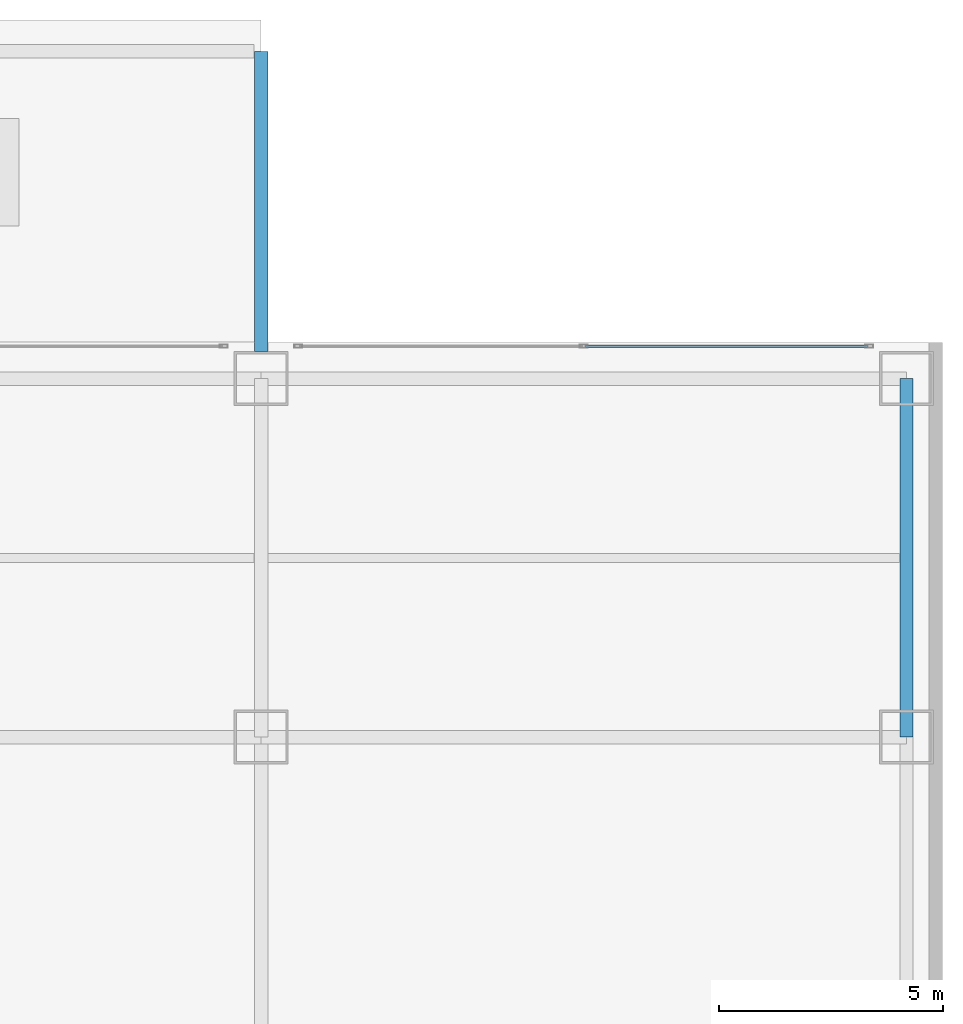
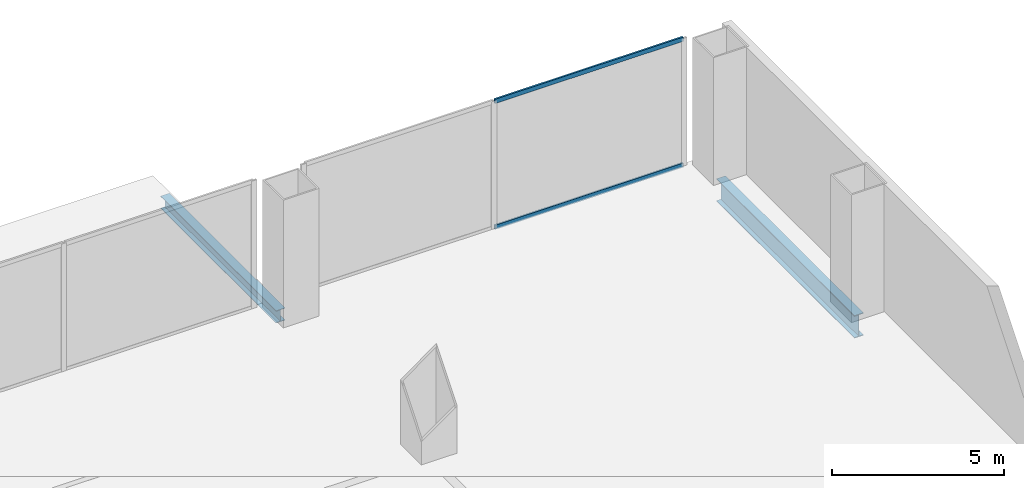
# One storey, part 29 of 42: 2 beams, 2 members, 1 element without a shape of its own.
"""IFC4 building model written with IfcOpenShell, lengths in metres."""

from ifc_helpers import new_model, si_unit, direction, frame, origin, origin_2d, place, context, subcontext, project, spatial, hollow_rectangle, i_section, extrude, source, transform, mapped, material, layer, layer_set, material_profile, profile_set, type_object, element, aggregate, save


model = new_model("IFC4")

# Units and contexts
model_context = context("Model", 3, precision=1e-05, world=origin(), true_north=direction((0.0, 1.0)))
body_context = subcontext(model_context, "Body", "Model", "MODEL_VIEW")
ifc_project = project(units=[si_unit("LENGTHUNIT", "METRE"), si_unit("AREAUNIT", "SQUARE_METRE"), si_unit("VOLUMEUNIT", "CUBIC_METRE"), si_unit("PLANEANGLEUNIT", "RADIAN"), si_unit("MASSUNIT", "GRAM", prefix="KILO"), si_unit("THERMODYNAMICTEMPERATUREUNIT", "KELVIN"), si_unit("POWERUNIT", "WATT")], contexts=[model_context])

# Site, building, storey
site_placement = place(None, origin())
site = spatial("IfcSite", under=ifc_project, at=site_placement, CompositionType="ELEMENT")
building_placement = place(site_placement, origin())
building = spatial("IfcBuilding", under=site, at=building_placement, Name="Yunzhuo Pagoda Commons", CompositionType="ELEMENT")
storey_placement = place(building_placement, frame((0.0, 0.0, 4.800048828125)))
storey = spatial("IfcBuildingStorey", under=building, at=storey_placement, Name="L02", CompositionType="ELEMENT", Elevation=4.800048828125)

# Beams
ifc_material_1 = material(Name="Structural steel Q355B", Category="steel")
ifc_material_profile_1 = material_profile(ifc_material_1, i_section(OverallWidth=0.300048828125, OverallDepth=0.800048828125, WebThickness=0.013916015625, FlangeThickness=0.02587890625, at=origin_2d()), Name="Structural steel Q355B")
ifc_profile_set_1 = profile_set([ifc_material_profile_1], Name="Structural steel Q355B")
beam_type_1 = type_object("IfcBeamType", Name="B-PD2 Beam HN 800x300x14x26", PredefinedType="BEAM", material=ifc_profile_set_1)
shared_shape_1 = source(origin(), body_context, "Body", "SweptSolid", [
    extrude(i_section(OverallWidth=0.300048828125, OverallDepth=0.800048828125, WebThickness=0.013916015625, FlangeThickness=0.02587890625, at=origin_2d()), origin(), (0.0, 0.0, 1.0), 8.0),
])
beam_1_placement = place(storey_placement, frame((91.199951171875, 81.199951171875, -0.679931640625), z_axis=(0.0, 1.0, 0.0), x_axis=(-1.0, 0.0, 0.0)))
element("IfcBeam", 1, at=beam_1_placement, inside=storey, type_object=beam_type_1, Name="L02 podium girder NS 6.5", PredefinedType="BEAM", context=body_context, shape_type="MappedRepresentation", body=[
    mapped(shared_shape_1, transform((0.0, 0.0, 0.0), scale=1.0)),
])
ifc_material_profile_2 = material_profile(ifc_material_1, i_section(OverallWidth=0.300048828125, OverallDepth=0.43994140625, WebThickness=0.010986328125, FlangeThickness=0.01806640625, at=origin_2d()), Name="Structural steel Q355B")
ifc_profile_set_2 = profile_set([ifc_material_profile_2], Name="Structural steel Q355B")
beam_type_2 = type_object("IfcBeamType", Name="B-SP2 Beam HM 440x300x11x18", PredefinedType="BEAM", material=ifc_profile_set_2)
shared_shape_2 = source(origin(), body_context, "Body", "SweptSolid", [
    extrude(i_section(OverallWidth=0.300048828125, OverallDepth=0.43994140625, WebThickness=0.010986328125, FlangeThickness=0.01806640625, at=origin_2d()), origin(), (0.0, 0.0, 1.0), 6.699951171875),
])
beam_2_placement = place(storey_placement, frame((76.800048828125, 89.800048828125, -0.5), z_axis=(0.0, 1.0, 0.0), x_axis=(-1.0, 0.0, 0.0)))
element("IfcBeam", 2, at=beam_2_placement, inside=storey, type_object=beam_type_2, Name="North canopy girder 5", PredefinedType="BEAM", context=body_context, shape_type="MappedRepresentation", body=[
    mapped(shared_shape_2, transform((0.0, 0.0, 0.0), scale=1.0)),
])

# Curtain wall, members
ifc_material_2 = material(Name="Anodized aluminium 6063-T6", Category="aluminium")
ifc_layer = layer(ifc_material_2, 0.179931640625)
ifc_layer_set = layer_set([ifc_layer], Name="Anodized aluminium 6063-T6")
curtain_wall_type = type_object("IfcCurtainWallType", Name="CW-POD Waterfront Podium Curtain Wall", PredefinedType="NOTDEFINED", material=ifc_layer_set)
curtain_wall_placement = place(storey_placement, origin())
curtain_wall = element("IfcCurtainWall", 3, at=curtain_wall_placement, inside=storey, type_object=curtain_wall_type, Name="L02 curtain wall CW-L02-N5", PredefinedType="NOTDEFINED")
ifc_material_profile_3 = material_profile(ifc_material_2, hollow_rectangle(XDim=0.06005859375, YDim=0.14990234375, WallThickness=0.00390625, at=origin_2d()), Name="Anodized aluminium 6063-T6")
ifc_profile_set_3 = profile_set([ifc_material_profile_3], Name="Anodized aluminium 6063-T6")
member_type = type_object("IfcMemberType", Name="CW-POD-T Transom RHS 150x60x4", PredefinedType="USERDEFINED", material=ifc_profile_set_3)
shared_shape_3 = source(origin(), body_context, "Body", "SweptSolid", [
    extrude(hollow_rectangle(XDim=0.06005859375, YDim=0.14990234375, WallThickness=0.00390625, at=origin_2d()), origin(), (0.0, 0.0, 1.0), 6.302490234375),
])
member_1_placement = place(storey_placement, frame((84.032470703125, 89.919921875, 0.030029296875), z_axis=(1.0, 0.0, 0.0), x_axis=(0.0, 1.0, 0.0)))
member_1 = element("IfcMember", 4, at=member_1_placement, type_object=member_type, Name="CW transom 2.1", ObjectType="TRANSOM", PredefinedType="USERDEFINED", context=body_context, shape_type="MappedRepresentation", body=[
    mapped(shared_shape_3, transform((0.0, 0.0, 0.0), scale=1.0)),
])
member_2_placement = place(storey_placement, frame((84.032470703125, 89.919921875, 4.489990234375), z_axis=(1.0, 0.0, 0.0), x_axis=(0.0, 1.0, 0.0)))
member_2 = element("IfcMember", 5, at=member_2_placement, type_object=member_type, Name="CW transom 2.2", ObjectType="TRANSOM", PredefinedType="USERDEFINED", context=body_context, shape_type="MappedRepresentation", body=[
    mapped(shared_shape_3, transform((0.0, 0.0, 0.0), scale=1.0)),
])
aggregate(curtain_wall, [member_1, member_2])

save(model, "model.ifc")
